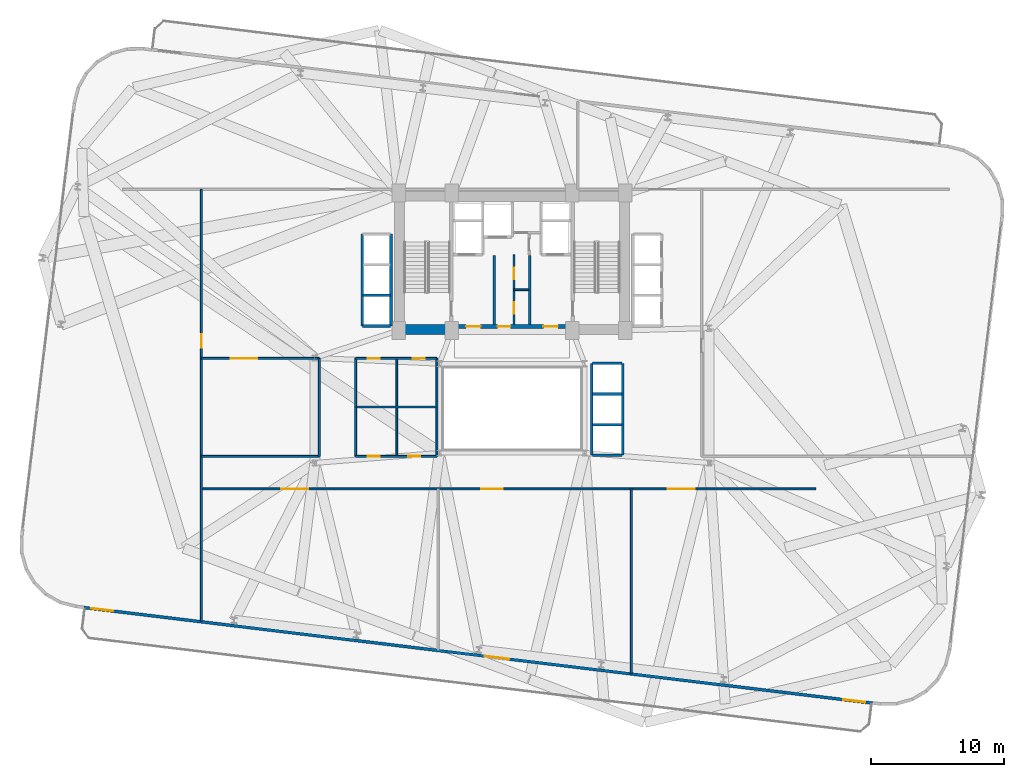
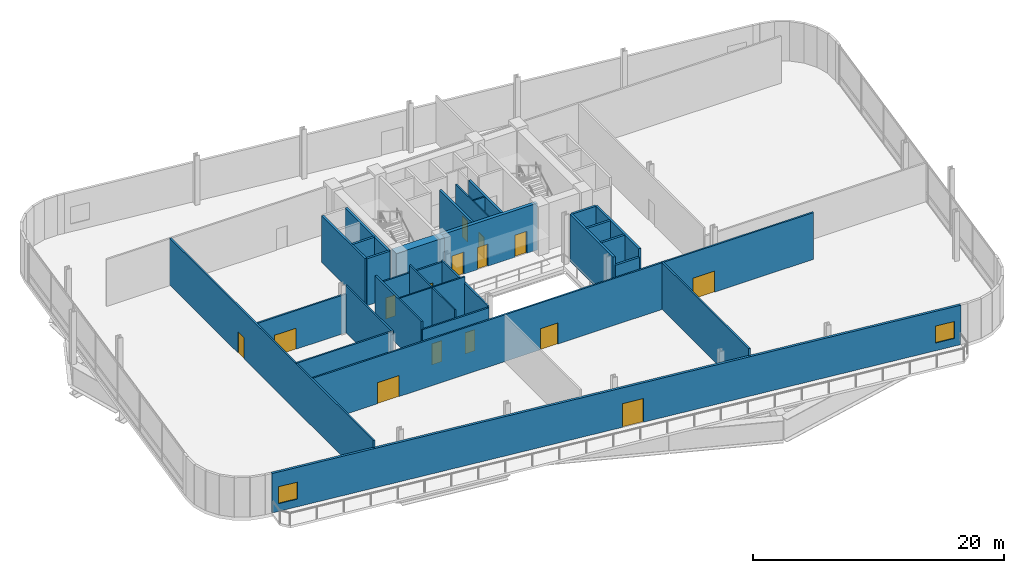
# One storey, part 16 of 22: 29 walls, 15 doors, 2 windows, 17 openings.
"""IFC4 building model written with IfcOpenShell, lengths in metres."""

from ifc_helpers import new_model, si_unit, direction, frame, frame_2d, origin, place, context, subcontext, project, spatial, rectangle, extrude, material, layer, layer_set, type_object, element, fill, save


model = new_model("IFC4")

# Units and contexts
model_context = context("Model", 3, precision=1e-05, world=origin(), true_north=direction((0.0, 1.0)))
body_context = subcontext(model_context, "Body", "Model", "MODEL_VIEW")
ifc_project = project(units=[si_unit("LENGTHUNIT", "METRE"), si_unit("AREAUNIT", "SQUARE_METRE"), si_unit("VOLUMEUNIT", "CUBIC_METRE"), si_unit("PLANEANGLEUNIT", "RADIAN"), si_unit("MASSUNIT", "GRAM", prefix="KILO")], contexts=[model_context])

# Site, building, storey
site_placement = place(None, origin())
site = spatial("IfcSite", under=ifc_project, at=site_placement, CompositionType="ELEMENT")
building_placement = place(site_placement, origin())
building = spatial("IfcBuilding", under=site, at=building_placement, Name="Varnelok Gate Tower", CompositionType="ELEMENT")
storey_placement = place(building_placement, frame((0.0, 0.0, 116.89990234375)))
storey = spatial("IfcBuildingStorey", under=building, at=storey_placement, Name="L29", CompositionType="ELEMENT", Elevation=116.89990234375)

# Wall, openings, door, windows
ifc_material_1 = material(Name="Concrete C45/55", Category="concrete")
ifc_layer_1 = layer(ifc_material_1, 0.219970703125)
ifc_layer_set_1 = layer_set([ifc_layer_1], Name="Concrete C45/55")
wall_type_1 = type_object("IfcWallType", Name="EW-BALC-220", PredefinedType="SOLIDWALL", material=ifc_layer_set_1)
wall_1_placement = place(storey_placement, frame((66.245361328125, 0.777099609375, 0.0), z_axis=(0.0, 0.0, 1.0), x_axis=(-0.992732017356, 0.120345925214, 0.0)))
wall_1 = element("IfcWall", 1, at=wall_1_placement, inside=storey, type_object=wall_type_1, Name="L29 South Terrace Envelope Wall 1", PredefinedType="SOLIDWALL", context=body_context, shape_type="SweptSolid", body=[
    extrude(rectangle(XDim=59.599853515625, YDim=0.219970703125, at=frame_2d((29.7998046875, 0.0))), origin(), (0.0, 0.0, 1.0), 3.830078125),
])
opening_1_placement = place(wall_1_placement, frame((27.44580078125, 0.0, 0.0)))
opening_1 = element("IfcOpeningElement", 2, at=opening_1_placement, cuts=wall_1, Name="Opening SGD-1", PredefinedType="OPENING", context=body_context, shape_type="SweptSolid", body=[
    extrude(rectangle(XDim=1.85009765625, YDim=2.300048828125, at=frame_2d((0.925048828125, 1.14990234375))), frame((0.0, 0.119873046875, 0.0), z_axis=(0.0, -1.0, 0.0), x_axis=(1.0, 0.0, 0.0)), (0.0, 0.0, 1.0), 0.239990234375),
])
opening_2_placement = place(wall_1_placement, frame((0.550048828125, 0.0, 0.75)))
opening_2 = element("IfcOpeningElement", 3, at=opening_2_placement, cuts=wall_1, Name="Opening WN3", PredefinedType="OPENING", context=body_context, shape_type="SweptSolid", body=[
    extrude(rectangle(XDim=1.64990234375, YDim=1.64990234375, at=frame_2d((0.824951171875, 0.824951171875))), frame((0.0, 0.119873046875, 0.0), z_axis=(0.0, -1.0, 0.0), x_axis=(1.0, 0.0, 0.0)), (0.0, 0.0, 1.0), 0.239990234375),
])
opening_3_placement = place(wall_1_placement, frame((57.39990234375, 0.0, 0.75)))
opening_3 = element("IfcOpeningElement", 4, at=opening_3_placement, cuts=wall_1, Name="Opening WN3", PredefinedType="OPENING", context=body_context, shape_type="SweptSolid", body=[
    extrude(rectangle(XDim=1.64990234375, YDim=1.64990234375, at=frame_2d((0.824951171875, 0.824951171875))), frame((0.0, 0.119873046875, 0.0), z_axis=(0.0, -1.0, 0.0), x_axis=(1.0, 0.0, 0.0)), (0.0, 0.0, 1.0), 0.239990234375),
])
ifc_material_2 = material(Name="Anodized Aluminum Alloy 6063-T6", Category="aluminium")
door_type_1 = type_object("IfcDoorType", Name="DR-EXT-SKYG1850", OperationType="DOUBLE_DOOR_SINGLE_SWING", PredefinedType="DOOR", material=ifc_material_2)
door_1_placement = place(opening_1_placement, origin())
door_1 = element("IfcDoor", 5, at=door_1_placement, inside=storey, type_object=door_type_1, Name="L29 South Sky Garden Glazed Door 1", OperationType="DOUBLE_DOOR_SINGLE_SWING", OverallHeight=2.300048828125, OverallWidth=1.85009765625, PredefinedType="DOOR", context=body_context, shape_type="SweptSolid", body=[
    extrude(rectangle(XDim=1.85009765625, YDim=2.300048828125, at=frame_2d((0.925048828125, 1.14990234375))), frame((0.0, 0.02490234375, 0.0), z_axis=(0.0, -1.0, 0.0), x_axis=(1.0, 0.0, 0.0)), (0.0, 0.0, 1.0), 0.050048828125),
])
fill(opening_1, door_1)
ifc_material_3 = material(Name="Low-E Laminated Double Glazing IGU", Category="glass")
window_type = type_object("IfcWindowType", Name="WN-HTL-1650", PartitioningType="SINGLE_PANEL", PredefinedType="WINDOW", material=ifc_material_3)
window_1_placement = place(opening_2_placement, origin())
window_1 = element("IfcWindow", 6, at=window_1_placement, inside=storey, type_object=window_type, Name="L29 South Vision Window 1.1", OverallHeight=1.64990234375, OverallWidth=1.64990234375, PartitioningType="SINGLE_PANEL", PredefinedType="WINDOW", context=body_context, shape_type="SweptSolid", body=[
    extrude(rectangle(XDim=1.64990234375, YDim=1.64990234375, at=frame_2d((0.824951171875, 0.824951171875))), frame((0.0, 0.030029296875, 0.0), z_axis=(0.0, -1.0, 0.0), x_axis=(1.0, 0.0, 0.0)), (0.0, 0.0, 1.0), 0.06005859375),
])
fill(opening_2, window_1)
window_2_placement = place(opening_3_placement, origin())
window_2 = element("IfcWindow", 7, at=window_2_placement, inside=storey, type_object=window_type, Name="L29 South Vision Window 1.2", OverallHeight=1.64990234375, OverallWidth=1.64990234375, PartitioningType="SINGLE_PANEL", PredefinedType="WINDOW", context=body_context, shape_type="SweptSolid", body=[
    extrude(rectangle(XDim=1.64990234375, YDim=1.64990234375, at=frame_2d((0.824951171875, 0.824951171875))), frame((0.0, 0.030029296875, 0.0), z_axis=(0.0, -1.0, 0.0), x_axis=(1.0, 0.0, 0.0)), (0.0, 0.0, 1.0), 0.06005859375),
])
fill(opening_3, window_2)

# Walls
ifc_material_4 = material(Name="Gypsum Plasterboard Acoustic Partition", Category="gypsum")
ifc_layer_2 = layer(ifc_material_4, 0.125)
ifc_layer_set_2 = layer_set([ifc_layer_2], Name="Gypsum Plasterboard Acoustic Partition")
wall_type_2 = type_object("IfcWallType", Name="PW-PART-125", PredefinedType="PARTITIONING", material=ifc_layer_set_2)
wall_2_placement = place(storey_placement, frame((30.550048828125, 19.3798828125, 0.0), z_axis=(0.0, 0.0, 1.0), x_axis=(0.0, 1.0, 0.0)))
element("IfcWall", 8, at=wall_2_placement, inside=storey, type_object=wall_type_2, Name="Interior Partition", PredefinedType="PARTITIONING", context=body_context, shape_type="SweptSolid", body=[
    extrude(rectangle(XDim=7.18017578125, YDim=0.125, at=frame_2d((3.590087890625, 0.0))), origin(), (0.0, 0.0, 1.0), 4.550048828125),
])
wall_3_placement = place(storey_placement, frame((27.52001953125, 23.0, 0.0), z_axis=(0.0, 0.0, 1.0), x_axis=(1.0, 0.0, 0.0)))
element("IfcWall", 9, at=wall_3_placement, inside=storey, type_object=wall_type_2, Name="Interior Partition", PredefinedType="PARTITIONING", context=body_context, shape_type="SweptSolid", body=[
    extrude(rectangle(XDim=6.0, YDim=0.125, at=frame_2d((3.0, 0.0))), origin(), (0.0, 0.0, 1.0), 4.550048828125),
])
wall_4_placement = place(storey_placement, frame((39.35009765625, 31.800048828125, 0.0), z_axis=(0.0, 0.0, 1.0), x_axis=(1.0, 0.0, 0.0)))
element("IfcWall", 10, at=wall_4_placement, inside=storey, type_object=wall_type_2, Name="Interior Partition", PredefinedType="PARTITIONING", context=body_context, shape_type="SweptSolid", body=[
    extrude(rectangle(XDim=1.08984375, YDim=0.125, at=frame_2d((0.544921875, 0.0))), origin(), (0.0, 0.0, 1.0), 4.550048828125),
])

# Wall, openings, doors
wall_5_placement = place(storey_placement, frame((39.35009765625, 29.199951171875, 0.0), z_axis=(0.0, 0.0, 1.0), x_axis=(0.0, 1.0, 0.0)))
wall_5 = element("IfcWall", 11, at=wall_5_placement, inside=storey, type_object=wall_type_2, Name="Interior Partition", PredefinedType="PARTITIONING", context=body_context, shape_type="SweptSolid", body=[
    extrude(rectangle(XDim=5.219970703125, YDim=0.125, at=frame_2d((2.60986328125, 0.0))), origin(), (0.0, 0.0, 1.0), 4.550048828125),
])
opening_4_placement = place(wall_5_placement, frame((0.800048828125, 0.0, 0.0)))
opening_4 = element("IfcOpeningElement", 12, at=opening_4_placement, cuts=wall_5, Name="Opening D-RS", PredefinedType="OPENING", context=body_context, shape_type="SweptSolid", body=[
    extrude(rectangle(XDim=0.85009765625, YDim=2.050048828125, at=frame_2d((0.425048828125, 1.02490234375))), frame((0.0, 0.072509765625, 0.0), z_axis=(0.0, -1.0, 0.0), x_axis=(1.0, 0.0, 0.0)), (0.0, 0.0, 1.0), 0.14501953125),
])
opening_5_placement = place(wall_5_placement, frame((3.39990234375, 0.0, 0.0)))
opening_5 = element("IfcOpeningElement", 13, at=opening_5_placement, cuts=wall_5, Name="Opening D-RS", PredefinedType="OPENING", context=body_context, shape_type="SweptSolid", body=[
    extrude(rectangle(XDim=0.85009765625, YDim=2.050048828125, at=frame_2d((0.425048828125, 1.02490234375))), frame((0.0, 0.072509765625, 0.0), z_axis=(0.0, -1.0, 0.0), x_axis=(1.0, 0.0, 0.0)), (0.0, 0.0, 1.0), 0.14501953125),
])
ifc_material_5 = material(Name="Galvanized Steel Grade S350GD", Category="steel")
door_type_2 = type_object("IfcDoorType", Name="DR-RISER-850", OperationType="NOTDEFINED", PredefinedType="DOOR", material=ifc_material_5)
door_2_placement = place(opening_4_placement, origin())
door_2 = element("IfcDoor", 14, at=door_2_placement, inside=storey, type_object=door_type_2, Name="L29 Housekeeping Linen Door", OperationType="SINGLE_SWING_RIGHT", OverallHeight=2.050048828125, OverallWidth=0.85009765625, PredefinedType="DOOR", context=body_context, shape_type="SweptSolid", body=[
    extrude(rectangle(XDim=0.85009765625, YDim=2.050048828125, at=frame_2d((0.425048828125, 1.02490234375))), frame((0.0, 0.02490234375, 0.0), z_axis=(0.0, -1.0, 0.0), x_axis=(1.0, 0.0, 0.0)), (0.0, 0.0, 1.0), 0.050048828125),
])
fill(opening_4, door_2)
door_3_placement = place(opening_5_placement, origin())
door_3 = element("IfcDoor", 15, at=door_3_placement, inside=storey, type_object=door_type_2, Name="L29 Core Supply Door", OperationType="SINGLE_SWING_LEFT", OverallHeight=2.050048828125, OverallWidth=0.85009765625, PredefinedType="DOOR", context=body_context, shape_type="SweptSolid", body=[
    extrude(rectangle(XDim=0.85009765625, YDim=2.050048828125, at=frame_2d((0.425048828125, 1.02490234375))), frame((0.0, 0.02490234375, 0.0), z_axis=(0.0, -1.0, 0.0), x_axis=(1.0, 0.0, 0.0)), (0.0, 0.0, 1.0), 0.050048828125),
])
fill(opening_5, door_3)

ifc_layer_3 = layer(ifc_material_4, 0.14990234375)
ifc_layer_set_3 = layer_set([ifc_layer_3], Name="Gypsum Plasterboard Acoustic Partition")
wall_type_3 = type_object("IfcWallType", Name="PW-PART-150", PredefinedType="PARTITIONING", material=ifc_layer_set_3)
wall_6_placement = place(storey_placement, frame((27.4599609375, 26.639892578125, 0.0), z_axis=(0.0, 0.0, 1.0), x_axis=(1.0, 0.0, 0.0)))
wall_6 = element("IfcWall", 16, at=wall_6_placement, inside=storey, type_object=wall_type_3, Name="Interior Partition", PredefinedType="PARTITIONING", context=body_context, shape_type="SweptSolid", body=[
    extrude(rectangle(XDim=6.10009765625, YDim=0.14990234375, at=frame_2d((3.050048828125, 0.0))), origin(), (0.0, 0.0, 1.0), 3.76220703125),
])
opening_6_placement = place(wall_6_placement, frame((0.89990234375, 0.0, 0.0)))
opening_6 = element("IfcOpeningElement", 17, at=opening_6_placement, cuts=wall_6, Name="Opening D-WC", PredefinedType="OPENING", context=body_context, shape_type="SweptSolid", body=[
    extrude(rectangle(XDim=0.89990234375, YDim=2.050048828125, at=frame_2d((0.449951171875, 1.02490234375))), frame((0.0, 0.0849609375, 0.0), z_axis=(0.0, -1.0, 0.0), x_axis=(1.0, 0.0, 0.0)), (0.0, 0.0, 1.0), 0.169921875),
])
opening_7_placement = place(wall_6_placement, frame((4.302978515625, 0.0, 0.0)))
opening_7 = element("IfcOpeningElement", 18, at=opening_7_placement, cuts=wall_6, Name="Opening D-WC", PredefinedType="OPENING", context=body_context, shape_type="SweptSolid", body=[
    extrude(rectangle(XDim=0.89990234375, YDim=2.050048828125, at=frame_2d((0.449951171875, 1.02490234375))), frame((0.0, 0.0849609375, 0.0), z_axis=(0.0, -1.0, 0.0), x_axis=(1.0, 0.0, 0.0)), (0.0, 0.0, 1.0), 0.169921875),
])
ifc_material_6 = material(Name="Engineered Hardwood Timber", Category="wood")
door_type_3 = type_object("IfcDoorType", Name="DR-BATH-900", OperationType="NOTDEFINED", PredefinedType="DOOR", material=ifc_material_6)
door_4_placement = place(opening_6_placement, origin())
door_4 = element("IfcDoor", 19, at=door_4_placement, inside=storey, type_object=door_type_3, Name="L29 Male WC Door", OperationType="SINGLE_SWING_LEFT", OverallHeight=2.050048828125, OverallWidth=0.89990234375, PredefinedType="DOOR", context=body_context, shape_type="SweptSolid", body=[
    extrude(rectangle(XDim=0.89990234375, YDim=2.050048828125, at=frame_2d((0.449951171875, 1.02490234375))), frame((0.0, 0.02490234375, 0.0), z_axis=(0.0, -1.0, 0.0), x_axis=(1.0, 0.0, 0.0)), (0.0, 0.0, 1.0), 0.050048828125),
])
fill(opening_6, door_4)
door_5_placement = place(opening_7_placement, origin())
door_5 = element("IfcDoor", 20, at=door_5_placement, inside=storey, type_object=door_type_3, Name="L29 Female WC Door", OperationType="SINGLE_SWING_RIGHT", OverallHeight=2.050048828125, OverallWidth=0.89990234375, PredefinedType="DOOR", context=body_context, shape_type="SweptSolid", body=[
    extrude(rectangle(XDim=0.89990234375, YDim=2.050048828125, at=frame_2d((0.449951171875, 1.02490234375))), frame((0.0, 0.02490234375, 0.0), z_axis=(0.0, -1.0, 0.0), x_axis=(1.0, 0.0, 0.0)), (0.0, 0.0, 1.0), 0.050048828125),
])
fill(opening_7, door_5)

wall_7_placement = place(storey_placement, frame((27.4599609375, 19.300048828125, 0.0), z_axis=(0.0, 0.0, 1.0), x_axis=(1.0, 0.0, 0.0)))
wall_7 = element("IfcWall", 21, at=wall_7_placement, inside=storey, type_object=wall_type_3, Name="Interior Partition", PredefinedType="PARTITIONING", context=body_context, shape_type="SweptSolid", body=[
    extrude(rectangle(XDim=6.10009765625, YDim=0.14990234375, at=frame_2d((3.050048828125, 0.0))), origin(), (0.0, 0.0, 1.0), 3.76220703125),
])
opening_8_placement = place(wall_7_placement, frame((0.89990234375, 0.0, 0.0)))
opening_8 = element("IfcOpeningElement", 22, at=opening_8_placement, cuts=wall_7, Name="Opening D-I3", PredefinedType="OPENING", context=body_context, shape_type="SweptSolid", body=[
    extrude(rectangle(XDim=0.919921875, YDim=2.050048828125, at=frame_2d((0.4599609375, 1.02490234375))), frame((0.0, 0.0849609375, 0.0), z_axis=(0.0, -1.0, 0.0), x_axis=(1.0, 0.0, 0.0)), (0.0, 0.0, 1.0), 0.169921875),
])
opening_9_placement = place(wall_7_placement, frame((3.949951171875, 0.0, 0.0)))
opening_9 = element("IfcOpeningElement", 23, at=opening_9_placement, cuts=wall_7, Name="Opening D-WC", PredefinedType="OPENING", context=body_context, shape_type="SweptSolid", body=[
    extrude(rectangle(XDim=0.89990234375, YDim=2.050048828125, at=frame_2d((0.449951171875, 1.02490234375))), frame((0.0, 0.0849609375, 0.0), z_axis=(0.0, -1.0, 0.0), x_axis=(1.0, 0.0, 0.0)), (0.0, 0.0, 1.0), 0.169921875),
])
door_6_placement = place(opening_9_placement, origin())
door_6 = element("IfcDoor", 24, at=door_6_placement, inside=storey, type_object=door_type_3, Name="L29 Accessible WC Door", OperationType="SINGLE_SWING_LEFT", OverallHeight=2.050048828125, OverallWidth=0.89990234375, PredefinedType="DOOR", context=body_context, shape_type="SweptSolid", body=[
    extrude(rectangle(XDim=0.89990234375, YDim=2.050048828125, at=frame_2d((0.449951171875, 1.02490234375))), frame((0.0, 0.02490234375, 0.0), z_axis=(0.0, -1.0, 0.0), x_axis=(1.0, 0.0, 0.0)), (0.0, 0.0, 1.0), 0.050048828125),
])
fill(opening_9, door_6)
door_type_4 = type_object("IfcDoorType", Name="DR-INT-920", OperationType="NOTDEFINED", PredefinedType="DOOR", material=ifc_material_6)
door_7_placement = place(opening_8_placement, origin())
door_7 = element("IfcDoor", 25, at=door_7_placement, inside=storey, type_object=door_type_4, Name="L29 Sky Pantry Door", OperationType="SINGLE_SWING_RIGHT", OverallHeight=2.050048828125, OverallWidth=0.919921875, PredefinedType="DOOR", context=body_context, shape_type="SweptSolid", body=[
    extrude(rectangle(XDim=0.919921875, YDim=2.050048828125, at=frame_2d((0.4599609375, 1.02490234375))), frame((0.0, 0.02490234375, 0.0), z_axis=(0.0, -1.0, 0.0), x_axis=(1.0, 0.0, 0.0)), (0.0, 0.0, 1.0), 0.050048828125),
])
fill(opening_8, door_7)

# Walls
wall_8_placement = place(storey_placement, frame((27.4599609375, 19.300048828125, 0.0), z_axis=(0.0, 0.0, 1.0), x_axis=(0.0, 1.0, 0.0)))
element("IfcWall", 26, at=wall_8_placement, inside=storey, type_object=wall_type_3, Name="Interior Partition", PredefinedType="PARTITIONING", context=body_context, shape_type="SweptSolid", body=[
    extrude(rectangle(XDim=7.33984375, YDim=0.14990234375, at=frame_2d((3.669921875, 0.0))), origin(), (0.0, 0.0, 1.0), 4.550048828125),
])
wall_9_placement = place(storey_placement, frame((33.56005859375, 19.300048828125, 0.0), z_axis=(0.0, 0.0, 1.0), x_axis=(0.0, 1.0, 0.0)))
element("IfcWall", 27, at=wall_9_placement, inside=storey, type_object=wall_type_3, Name="Interior Partition", PredefinedType="PARTITIONING", context=body_context, shape_type="SweptSolid", body=[
    extrude(rectangle(XDim=7.33984375, YDim=0.14990234375, at=frame_2d((3.669921875, 0.0))), origin(), (0.0, 0.0, 1.0), 3.924072265625),
])

# Wall, openings, doors
wall_10_placement = place(storey_placement, frame((15.89990234375, 16.85009765625, 0.0), z_axis=(0.0, 0.0, 1.0), x_axis=(1.0, 0.0, 0.0)))
wall_10 = element("IfcWall", 28, at=wall_10_placement, inside=storey, type_object=wall_type_3, Name="Interior Partition", PredefinedType="PARTITIONING", context=body_context, shape_type="SweptSolid", body=[
    extrude(rectangle(XDim=46.10009765625, YDim=0.14990234375, at=frame_2d((23.050048828125, 0.0))), origin(), (0.0, 0.0, 1.0), 4.550048828125),
])
opening_10_placement = place(wall_10_placement, frame((6.0, 0.0, 0.0)))
opening_10 = element("IfcOpeningElement", 29, at=opening_10_placement, cuts=wall_10, Name="Opening D-BL", PredefinedType="OPENING", context=body_context, shape_type="SweptSolid", body=[
    extrude(rectangle(XDim=2.0, YDim=2.050048828125, at=frame_2d((1.0, 1.02490234375))), frame((0.0, 0.0849609375, 0.0), z_axis=(0.0, -1.0, 0.0), x_axis=(1.0, 0.0, 0.0)), (0.0, 0.0, 1.0), 0.169921875),
])
opening_11_placement = place(wall_10_placement, frame((21.0, 0.0, 0.0)))
opening_11 = element("IfcOpeningElement", 30, at=opening_11_placement, cuts=wall_10, Name="Opening D-PL", PredefinedType="OPENING", context=body_context, shape_type="SweptSolid", body=[
    extrude(rectangle(XDim=1.60009765625, YDim=2.050048828125, at=frame_2d((0.800048828125, 1.02490234375))), frame((0.0, 0.0849609375, 0.0), z_axis=(0.0, -1.0, 0.0), x_axis=(1.0, 0.0, 0.0)), (0.0, 0.0, 1.0), 0.169921875),
])
opening_12_placement = place(wall_10_placement, frame((35.0, 0.0, 0.0)))
opening_12 = element("IfcOpeningElement", 31, at=opening_12_placement, cuts=wall_10, Name="Opening D-BL", PredefinedType="OPENING", context=body_context, shape_type="SweptSolid", body=[
    extrude(rectangle(XDim=2.0, YDim=2.050048828125, at=frame_2d((1.0, 1.02490234375))), frame((0.0, 0.0849609375, 0.0), z_axis=(0.0, -1.0, 0.0), x_axis=(1.0, 0.0, 0.0)), (0.0, 0.0, 1.0), 0.169921875),
])
door_type_5 = type_object("IfcDoorType", Name="DR-BALL-2000", OperationType="DOUBLE_DOOR_SINGLE_SWING", PredefinedType="DOOR", material=ifc_material_6)
door_8_placement = place(opening_10_placement, origin())
door_8 = element("IfcDoor", 32, at=door_8_placement, inside=storey, type_object=door_type_5, Name="L29 Brasserie Entrance", OperationType="DOUBLE_DOOR_SINGLE_SWING", OverallHeight=2.050048828125, OverallWidth=2.0, PredefinedType="DOOR", context=body_context, shape_type="SweptSolid", body=[
    extrude(rectangle(XDim=2.0, YDim=2.050048828125, at=frame_2d((1.0, 1.02490234375))), frame((0.0, 0.02490234375, 0.0), z_axis=(0.0, -1.0, 0.0), x_axis=(1.0, 0.0, 0.0)), (0.0, 0.0, 1.0), 0.050048828125),
])
fill(opening_10, door_8)
door_9_placement = place(opening_12_placement, origin())
door_9 = element("IfcDoor", 33, at=door_9_placement, inside=storey, type_object=door_type_5, Name="L29 Cocktail Bar Entrance", OperationType="DOUBLE_DOOR_SINGLE_SWING", OverallHeight=2.050048828125, OverallWidth=2.0, PredefinedType="DOOR", context=body_context, shape_type="SweptSolid", body=[
    extrude(rectangle(XDim=2.0, YDim=2.050048828125, at=frame_2d((1.0, 1.02490234375))), frame((0.0, 0.02490234375, 0.0), z_axis=(0.0, -1.0, 0.0), x_axis=(1.0, 0.0, 0.0)), (0.0, 0.0, 1.0), 0.050048828125),
])
fill(opening_12, door_9)
door_type_6 = type_object("IfcDoorType", Name="DR-PLANT-1600", OperationType="DOUBLE_DOOR_SINGLE_SWING", PredefinedType="DOOR", material=ifc_material_5)
door_10_placement = place(opening_11_placement, origin())
door_10 = element("IfcDoor", 34, at=door_10_placement, inside=storey, type_object=door_type_6, Name="L29 Kitchen Service Door", OperationType="DOUBLE_DOOR_SINGLE_SWING", OverallHeight=2.050048828125, OverallWidth=1.60009765625, PredefinedType="DOOR", context=body_context, shape_type="SweptSolid", body=[
    extrude(rectangle(XDim=1.60009765625, YDim=2.050048828125, at=frame_2d((0.800048828125, 1.02490234375))), frame((0.0, 0.02490234375, 0.0), z_axis=(0.0, -1.0, 0.0), x_axis=(1.0, 0.0, 0.0)), (0.0, 0.0, 1.0), 0.050048828125),
])
fill(opening_11, door_10)

# Wall
wall_11_placement = place(storey_placement, frame((48.14990234375, 3.0009765625, 0.0), z_axis=(0.0, 0.0, 1.0), x_axis=(0.0, 1.0, 0.0)))
element("IfcWall", 35, at=wall_11_placement, inside=storey, type_object=wall_type_3, Name="Interior Partition", PredefinedType="PARTITIONING", context=body_context, shape_type="SweptSolid", body=[
    extrude(rectangle(XDim=13.84912109375, YDim=0.14990234375, at=frame_2d((6.924560546875, 0.0))), origin(), (0.0, 0.0, 1.0), 4.550048828125),
])

# Wall, opening, door
wall_12_placement = place(storey_placement, frame((15.89990234375, 26.639892578125, 0.0), z_axis=(0.0, 0.0, 1.0), x_axis=(1.0, 0.0, 0.0)))
wall_12 = element("IfcWall", 36, at=wall_12_placement, inside=storey, type_object=wall_type_3, Name="Interior Partition", PredefinedType="PARTITIONING", context=body_context, shape_type="SweptSolid", body=[
    extrude(rectangle(XDim=8.85009765625, YDim=0.14990234375, at=frame_2d((4.425048828125, 0.0))), origin(), (0.0, 0.0, 1.0), 3.76220703125),
])
opening_13_placement = place(wall_12_placement, frame((2.199951171875, 0.0, 0.0)))
opening_13 = element("IfcOpeningElement", 37, at=opening_13_placement, cuts=wall_12, Name="Opening D-BL", PredefinedType="OPENING", context=body_context, shape_type="SweptSolid", body=[
    extrude(rectangle(XDim=2.0, YDim=2.050048828125, at=frame_2d((1.0, 1.02490234375))), frame((0.0, 0.0849609375, 0.0), z_axis=(0.0, -1.0, 0.0), x_axis=(1.0, 0.0, 0.0)), (0.0, 0.0, 1.0), 0.169921875),
])
door_11_placement = place(opening_13_placement, origin())
door_11 = element("IfcDoor", 38, at=door_11_placement, inside=storey, type_object=door_type_5, Name="L29 Sky Lobby Portal", OperationType="DOUBLE_DOOR_SINGLE_SWING", OverallHeight=2.050048828125, OverallWidth=2.0, PredefinedType="DOOR", context=body_context, shape_type="SweptSolid", body=[
    extrude(rectangle(XDim=2.0, YDim=2.050048828125, at=frame_2d((1.0, 1.02490234375))), frame((0.0, 0.02490234375, 0.0), z_axis=(0.0, -1.0, 0.0), x_axis=(1.0, 0.0, 0.0)), (0.0, 0.0, 1.0), 0.050048828125),
])
fill(opening_13, door_11)

# Walls
wall_13_placement = place(storey_placement, frame((24.75, 19.300048828125, 0.0), z_axis=(0.0, 0.0, 1.0), x_axis=(0.0, 1.0, 0.0)))
element("IfcWall", 39, at=wall_13_placement, inside=storey, type_object=wall_type_3, Name="Interior Partition", PredefinedType="PARTITIONING", context=body_context, shape_type="SweptSolid", body=[
    extrude(rectangle(XDim=7.33984375, YDim=0.14990234375, at=frame_2d((3.669921875, 0.0))), origin(), (0.0, 0.0, 1.0), 4.550048828125),
])
wall_14_placement = place(storey_placement, frame((15.89990234375, 19.300048828125, 0.0), z_axis=(0.0, 0.0, 1.0), x_axis=(1.0, 0.0, 0.0)))
element("IfcWall", 40, at=wall_14_placement, inside=storey, type_object=wall_type_3, Name="Interior Partition", PredefinedType="PARTITIONING", context=body_context, shape_type="SweptSolid", body=[
    extrude(rectangle(XDim=8.85009765625, YDim=0.14990234375, at=frame_2d((4.425048828125, 0.0))), origin(), (0.0, 0.0, 1.0), 4.550048828125),
])

# Wall, opening, door
wall_15_placement = place(storey_placement, frame((15.89990234375, 6.910400390625, 0.0), z_axis=(0.0, 0.0, 1.0), x_axis=(0.0, 1.0, 0.0)))
wall_15 = element("IfcWall", 41, at=wall_15_placement, inside=storey, type_object=wall_type_3, Name="Interior Partition", PredefinedType="PARTITIONING", context=body_context, shape_type="SweptSolid", body=[
    extrude(rectangle(XDim=32.40966796875, YDim=0.14990234375, at=frame_2d((16.204833984375, 0.0))), origin(), (0.0, 0.0, 1.0), 4.550048828125),
])
opening_14_placement = place(wall_15_placement, frame((20.53955078125, 0.0, 0.0)))
opening_14 = element("IfcOpeningElement", 42, at=opening_14_placement, cuts=wall_15, Name="Opening D-I1", PredefinedType="OPENING", context=body_context, shape_type="SweptSolid", body=[
    extrude(rectangle(XDim=1.0, YDim=2.050048828125, at=frame_2d((0.5, 1.02490234375))), frame((0.0, 0.0849609375, 0.0), z_axis=(0.0, -1.0, 0.0), x_axis=(1.0, 0.0, 0.0)), (0.0, 0.0, 1.0), 0.169921875),
])
door_type_7 = type_object("IfcDoorType", Name="DR-INT-1000", OperationType="NOTDEFINED", PredefinedType="DOOR", material=ifc_material_6)
door_12_placement = place(opening_14_placement, origin())
door_12 = element("IfcDoor", 43, at=door_12_placement, inside=storey, type_object=door_type_7, Name="L29 Wellness Lounge Door", OperationType="SINGLE_SWING_LEFT", OverallHeight=2.050048828125, OverallWidth=1.0, PredefinedType="DOOR", context=body_context, shape_type="SweptSolid", body=[
    extrude(rectangle(XDim=1.0, YDim=2.050048828125, at=frame_2d((0.5, 1.02490234375))), frame((0.0, 0.02490234375, 0.0), z_axis=(0.0, -1.0, 0.0), x_axis=(1.0, 0.0, 0.0)), (0.0, 0.0, 1.0), 0.050048828125),
])
fill(opening_14, door_12)

# Walls
ifc_material_7 = material(Name="Concrete C35/45", Category="concrete")
ifc_layer_4 = layer(ifc_material_7, 0.199951171875)
ifc_layer_set_4 = layer_set([ifc_layer_4], Name="Concrete C35/45")
wall_type_4 = type_object("IfcWallType", Name="PW-SHAFT-200", PredefinedType="PARTITIONING", material=ifc_layer_set_4)
for number, where, z_axis, x_axis, name in (
    (44, (37.860107421875, 29.199951171875, 0.0), (0.0, 0.0, 1.0), (0.0, 1.0, 0.0), "L29 West FF Lobby Rated Wall"),
    (45, (40.5400390625, 29.199951171875, 0.0), (0.0, 0.0, 1.0), (0.0, 1.0, 0.0), "L29 East FF Lobby Rated Wall"),
):
    element("IfcWall", number, at=place(storey_placement, frame(where, z_axis=z_axis, x_axis=x_axis)), inside=storey, type_object=wall_type_4, Name=name, PredefinedType="PARTITIONING", context=body_context, shape_type="SweptSolid", body=[
        extrude(rectangle(XDim=5.179931640625, YDim=0.199951171875, at=frame_2d((2.58984375, 0.0))), origin(), (0.0, 0.0, 1.0), 4.550048828125),
    ])
wall_16_placement = place(storey_placement, frame((28.02001953125, 31.375, 0.0), z_axis=(0.0, 0.0, 1.0), x_axis=(1.0, 0.0, 0.0)))
element("IfcWall", 46, at=wall_16_placement, inside=storey, type_object=wall_type_4, Name="L29 PL1 Divider", PredefinedType="PARTITIONING", context=body_context, shape_type="SweptSolid", body=[
    extrude(rectangle(XDim=2.06005859375, YDim=0.199951171875, at=frame_2d((1.030029296875, 0.0))), origin(), (0.0, 0.0, 1.0), 4.550048828125),
])
wall_17_placement = place(storey_placement, frame((28.0, 29.080078125, 0.0), z_axis=(0.0, 0.0, 1.0), x_axis=(1.0, 0.0, 0.0)))
element("IfcWall", 47, at=wall_17_placement, inside=storey, type_object=wall_type_4, Name="L29 PL Bank South Wall", PredefinedType="PARTITIONING", context=body_context, shape_type="SweptSolid", body=[
    extrude(rectangle(XDim=2.10009765625, YDim=0.199951171875, at=frame_2d((1.050048828125, 0.0))), origin(), (0.0, 0.0, 1.0), 4.550048828125),
])
for number, where, z_axis, x_axis, name in (
    (48, (30.1201171875, 29.080078125, 0.0), (0.0, 0.0, 1.0), (0.0, 1.0, 0.0), "L29 PL Bank Back Wall"),
    (49, (27.9599609375, 29.080078125, 0.0), (0.0, 0.0, 1.0), (0.0, 1.0, 0.0), "L29 PL Bank Front Wall"),
):
    element("IfcWall", number, at=place(storey_placement, frame(where, z_axis=z_axis, x_axis=x_axis)), inside=storey, type_object=wall_type_4, Name=name, PredefinedType="PARTITIONING", context=body_context, shape_type="SweptSolid", body=[
        extrude(rectangle(XDim=6.889892578125, YDim=0.199951171875, at=frame_2d((3.44482421875, 0.0))), origin(), (0.0, 0.0, 1.0), 4.550048828125),
    ])
for number, where, z_axis, x_axis, name in (
    (50, (45.239990234375, 21.675048828125, 0.0), (0.0, 0.0, 1.0), (1.0, 0.0, 0.0), "L29 PH1 Divider"),
    (51, (45.239990234375, 23.97509765625, 0.0), (0.0, 0.0, 1.0), (1.0, 0.0, 0.0), "L29 PH2 Divider"),
):
    element("IfcWall", number, at=place(storey_placement, frame(where, z_axis=z_axis, x_axis=x_axis)), inside=storey, type_object=wall_type_4, Name=name, PredefinedType="PARTITIONING", context=body_context, shape_type="SweptSolid", body=[
        extrude(rectangle(XDim=2.219970703125, YDim=0.199951171875, at=frame_2d((1.10986328125, 0.0))), origin(), (0.0, 0.0, 1.0), 4.550048828125),
    ])
wall_18_placement = place(storey_placement, frame((45.239990234375, 19.3798828125, 0.0), z_axis=(0.0, 0.0, 1.0), x_axis=(1.0, 0.0, 0.0)))
element("IfcWall", 52, at=wall_18_placement, inside=storey, type_object=wall_type_4, Name="L29 PH Bank South Wall", PredefinedType="PARTITIONING", context=body_context, shape_type="SweptSolid", body=[
    extrude(rectangle(XDim=2.219970703125, YDim=0.199951171875, at=frame_2d((1.10986328125, 0.0))), origin(), (0.0, 0.0, 1.0), 3.76220703125),
])
wall_19_placement = place(storey_placement, frame((45.239990234375, 26.280029296875, 0.0), z_axis=(0.0, 0.0, 1.0), x_axis=(1.0, 0.0, 0.0)))
element("IfcWall", 53, at=wall_19_placement, inside=storey, type_object=wall_type_4, Name="L29 PH Bank North Wall", PredefinedType="PARTITIONING", context=body_context, shape_type="SweptSolid", body=[
    extrude(rectangle(XDim=2.219970703125, YDim=0.199951171875, at=frame_2d((1.10986328125, 0.0))), origin(), (0.0, 0.0, 1.0), 4.550048828125),
])
for number, where, z_axis, x_axis, name in (
    (54, (45.179931640625, 19.3798828125, 0.0), (0.0, 0.0, 1.0), (0.0, 1.0, 0.0), "L29 PH Bank Atrium Wall"),
    (55, (47.52001953125, 19.3798828125, 0.0), (0.0, 0.0, 1.0), (0.0, 1.0, 0.0), "L29 PH Bank Front Wall"),
):
    element("IfcWall", number, at=place(storey_placement, frame(where, z_axis=z_axis, x_axis=x_axis)), inside=storey, type_object=wall_type_4, Name=name, PredefinedType="PARTITIONING", context=body_context, shape_type="SweptSolid", body=[
        extrude(rectangle(XDim=6.900146484375, YDim=0.199951171875, at=frame_2d((3.4501953125, 0.0))), origin(), (0.0, 0.0, 1.0), 4.550048828125),
    ])
ifc_material_8 = material(Name="Concrete C70/85", Category="concrete")
ifc_layer_5 = layer(ifc_material_8, 0.75)
ifc_layer_set_5 = layer_set([ifc_layer_5], Name="Concrete C70/85")
wall_type_5 = type_object("IfcWallType", Name="SW-CORE-750", PredefinedType="SHEAR", material=ifc_layer_set_5)
wall_20_placement = place(storey_placement, frame((30.3798828125, 28.824951171875, 0.0), z_axis=(0.0, 0.0, 1.0), x_axis=(1.0, 0.0, 0.0)))
element("IfcWall", 56, at=wall_20_placement, inside=storey, type_object=wall_type_5, Name="L29 Rear Core South-West Shear Wall", PredefinedType="SHEAR", context=body_context, shape_type="SweptSolid", body=[
    extrude(rectangle(XDim=4.420166015625, YDim=0.75, at=frame_2d((2.2099609375, 0.0))), origin(), (0.0, 0.0, 1.0), 4.550048828125),
])

# Wall, openings, doors
ifc_material_9 = material(Name="Concrete C60/75", Category="concrete")
ifc_layer_6 = layer(ifc_material_9, 0.300048828125)
ifc_layer_set_6 = layer_set([ifc_layer_6], Name="Concrete C60/75")
wall_type_6 = type_object("IfcWallType", Name="SW-SHAFT-300", PredefinedType="SHEAR", material=ifc_layer_set_6)
wall_21_placement = place(storey_placement, frame((34.800048828125, 29.050048828125, 0.0), z_axis=(0.0, 0.0, 1.0), x_axis=(1.0, 0.0, 0.0)))
wall_21 = element("IfcWall", 57, at=wall_21_placement, inside=storey, type_object=wall_type_6, Name="L29 Rear Core Central Lobby Shear Wall", PredefinedType="SHEAR", context=body_context, shape_type="SweptSolid", body=[
    extrude(rectangle(XDim=8.800048828125, YDim=0.300048828125, at=frame_2d((4.39990234375, 0.0))), origin(), (0.0, 0.0, 1.0), 4.550048828125),
])
opening_15_placement = place(wall_21_placement, frame((0.949951171875, 0.0, 0.0)))
opening_15 = element("IfcOpeningElement", 58, at=opening_15_placement, cuts=wall_21, Name="Opening D-FF", PredefinedType="OPENING", context=body_context, shape_type="SweptSolid", body=[
    extrude(rectangle(XDim=1.10009765625, YDim=2.14990234375, at=frame_2d((0.550048828125, 1.074951171875))), frame((0.0, 0.159912109375, 0.0), z_axis=(0.0, -1.0, 0.0), x_axis=(1.0, 0.0, 0.0)), (0.0, 0.0, 1.0), 0.320068359375),
])
opening_16_placement = place(wall_21_placement, frame((6.75, 0.0, 0.0)))
opening_16 = element("IfcOpeningElement", 59, at=opening_16_placement, cuts=wall_21, Name="Opening D-FF", PredefinedType="OPENING", context=body_context, shape_type="SweptSolid", body=[
    extrude(rectangle(XDim=1.10009765625, YDim=2.14990234375, at=frame_2d((0.550048828125, 1.074951171875))), frame((0.0, 0.159912109375, 0.0), z_axis=(0.0, -1.0, 0.0), x_axis=(1.0, 0.0, 0.0)), (0.0, 0.0, 1.0), 0.320068359375),
])
opening_17_placement = place(wall_21_placement, frame((3.320068359375, 0.0, 0.0)))
opening_17 = element("IfcOpeningElement", 60, at=opening_17_placement, cuts=wall_21, Name="Opening D-CR", PredefinedType="OPENING", context=body_context, shape_type="SweptSolid", body=[
    extrude(rectangle(XDim=0.949951171875, YDim=2.14990234375, at=frame_2d((0.47509765625, 1.074951171875))), frame((0.0, 0.159912109375, 0.0), z_axis=(0.0, -1.0, 0.0), x_axis=(1.0, 0.0, 0.0)), (0.0, 0.0, 1.0), 0.320068359375),
])
door_type_8 = type_object("IfcDoorType", Name="DR-CORR-950", OperationType="NOTDEFINED", PredefinedType="DOOR", material=ifc_material_5)
door_13_placement = place(opening_17_placement, origin())
door_13 = element("IfcDoor", 61, at=door_13_placement, inside=storey, type_object=door_type_8, Name="L29 Core Service Passage Door", OperationType="SINGLE_SWING_LEFT", OverallHeight=2.14990234375, OverallWidth=0.949951171875, PredefinedType="DOOR", context=body_context, shape_type="SweptSolid", body=[
    extrude(rectangle(XDim=0.949951171875, YDim=2.14990234375, at=frame_2d((0.47509765625, 1.074951171875))), frame((0.0, 0.02490234375, 0.0), z_axis=(0.0, -1.0, 0.0), x_axis=(1.0, 0.0, 0.0)), (0.0, 0.0, 1.0), 0.050048828125),
])
fill(opening_17, door_13)
door_type_9 = type_object("IfcDoorType", Name="DR-FFLOB-1100", OperationType="NOTDEFINED", PredefinedType="DOOR", material=ifc_material_5)
door_14_placement = place(opening_15_placement, origin())
door_14 = element("IfcDoor", 62, at=door_14_placement, inside=storey, type_object=door_type_9, Name="L29 West Firefighting Lobby Fire Door", OperationType="SINGLE_SWING_RIGHT", OverallHeight=2.14990234375, OverallWidth=1.10009765625, PredefinedType="DOOR", context=body_context, shape_type="SweptSolid", body=[
    extrude(rectangle(XDim=1.10009765625, YDim=2.14990234375, at=frame_2d((0.550048828125, 1.074951171875))), frame((0.0, 0.02490234375, 0.0), z_axis=(0.0, -1.0, 0.0), x_axis=(1.0, 0.0, 0.0)), (0.0, 0.0, 1.0), 0.050048828125),
])
fill(opening_15, door_14)
door_15_placement = place(opening_16_placement, origin())
door_15 = element("IfcDoor", 63, at=door_15_placement, inside=storey, type_object=door_type_9, Name="L29 East Firefighting Lobby Fire Door", OperationType="SINGLE_SWING_LEFT", OverallHeight=2.14990234375, OverallWidth=1.10009765625, PredefinedType="DOOR", context=body_context, shape_type="SweptSolid", body=[
    extrude(rectangle(XDim=1.10009765625, YDim=2.14990234375, at=frame_2d((0.550048828125, 1.074951171875))), frame((0.0, 0.02490234375, 0.0), z_axis=(0.0, -1.0, 0.0), x_axis=(1.0, 0.0, 0.0)), (0.0, 0.0, 1.0), 0.050048828125),
])
fill(opening_16, door_15)

save(model, "model.ifc")
